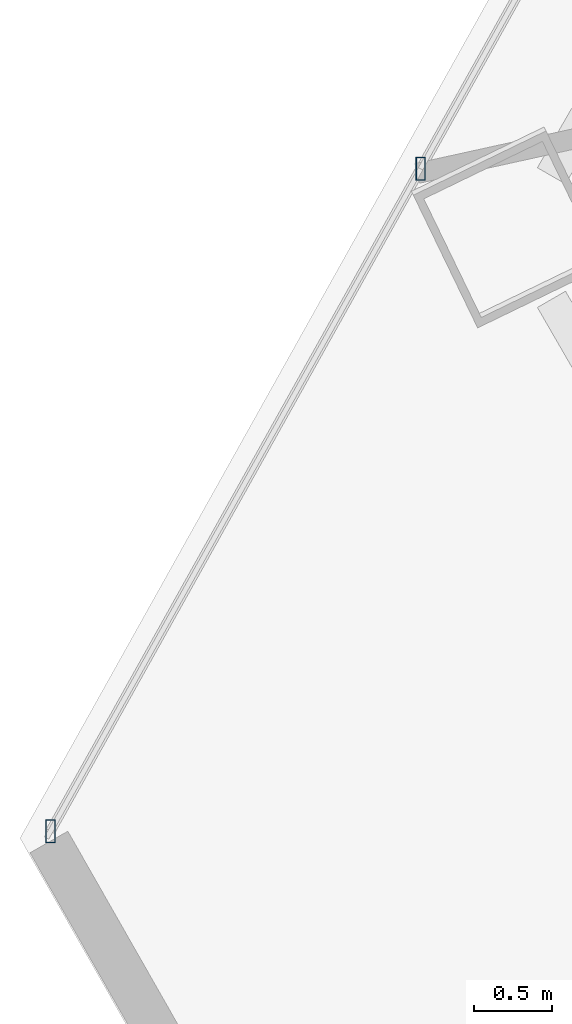
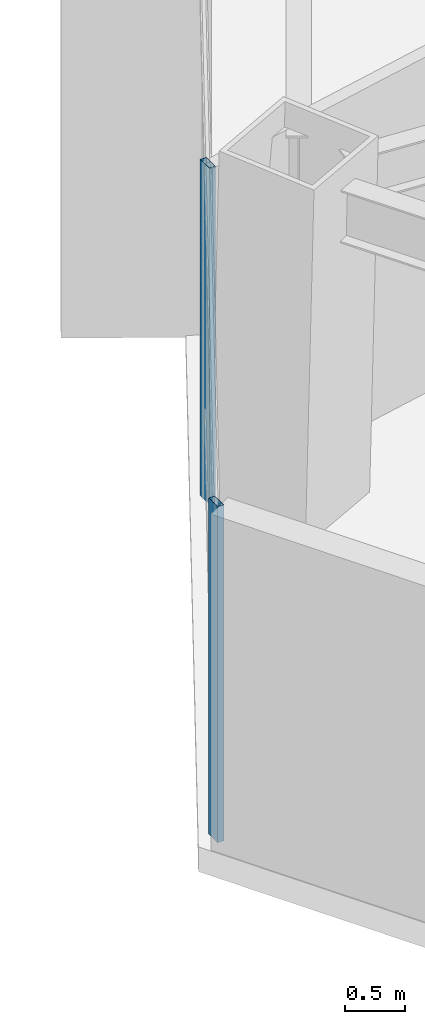
# One storey, part 6 of 39: 2 members, 1 element without a shape of its own.
"""IFC4 building model written with IfcOpenShell, lengths in metres."""

from ifc_helpers import new_model, si_unit, direction, frame, origin, origin_2d, place, context, subcontext, project, spatial, hollow_rectangle, extrude, source, transform, mapped, material, material_profile, profile_set, type_object, type_shapes, element, aggregate, save


model = new_model("IFC4")

# Units and contexts
model_context = context("Model", 3, precision=1e-05, world=origin(), true_north=direction((0.0, 1.0)))
body_context = subcontext(model_context, "Body", "Model", "MODEL_VIEW")
ifc_project = project(units=[si_unit("LENGTHUNIT", "METRE"), si_unit("AREAUNIT", "SQUARE_METRE"), si_unit("VOLUMEUNIT", "CUBIC_METRE"), si_unit("PLANEANGLEUNIT", "RADIAN"), si_unit("MASSUNIT", "GRAM", prefix="KILO")], contexts=[model_context])

# Site, building, storey
site_placement = place(None, origin())
site = spatial("IfcSite", under=ifc_project, at=site_placement, CompositionType="ELEMENT")
building_placement = place(site_placement, origin())
building = spatial("IfcBuilding", under=site, at=building_placement, Name="Caelisora Broadcast Tower", CompositionType="ELEMENT")
storey_placement = place(building_placement, frame((0.0, 0.0, 139.10009765625)))
storey = spatial("IfcBuildingStorey", under=building, at=storey_placement, Name="L36", CompositionType="ELEMENT", Elevation=139.10009765625)

# Curtain wall, members
ifc_material_1 = material(Name="Unitised Aluminium and Low-E Glass Curtain Wall", Category="glass")
curtain_wall_type = type_object("IfcCurtainWallType", Name="CW-Z3", PredefinedType="NOTDEFINED", material=ifc_material_1)
curtain_wall_placement = place(storey_placement, origin())
curtain_wall = element("IfcCurtainWall", 1, at=curtain_wall_placement, inside=storey, type_object=curtain_wall_type, Name="L36 curtain wall CW-Z3", PredefinedType="NOTDEFINED")
ifc_material_2 = material(Name="Aluminium 6063-T6 Anodised Terracotta Bronze", Category="aluminium")
ifc_material_profile = material_profile(ifc_material_2, hollow_rectangle(XDim=0.06005859375, YDim=0.14990234375, WallThickness=0.00341796875, at=origin_2d()), Name="Aluminium 6063-T6 Anodised Terracotta Bronze")
ifc_profile_set = profile_set([ifc_material_profile], Name="Aluminium 6063-T6 Anodised Terracotta Bronze")
member_type = type_object("IfcMemberType", Name="CWM-03", PredefinedType="MULLION", material=ifc_profile_set)
shared_shape = source(origin(), body_context, "Body", "SweptSolid", [
    extrude(hollow_rectangle(XDim=0.06005859375, YDim=0.14990234375, WallThickness=0.00341796875, at=origin_2d()), origin(), (0.0, 0.0, 1.0), 3.39990234375),
])
type_shapes(member_type, [shared_shape])
member_1_placement = place(storey_placement, frame((12.25537109375, 14.61669921875, 0.0), z_axis=(0.0, 0.0, 1.0), x_axis=(1.0, 0.0, 0.0)))
member_1 = element("IfcMember", 2, at=member_1_placement, type_object=member_type, Name="L36-CW-B09 mullion #0", PredefinedType="MULLION", context=body_context, shape_type="MappedRepresentation", body=[
    mapped(shared_shape, transform((0.0, 0.0, 0.0), scale=1.0)),
])
member_2_placement = place(storey_placement, frame((14.642578125, 18.888427734375, 0.0), z_axis=(0.0, 0.0, 1.0), x_axis=(1.0, 0.0, 0.0)))
member_2 = element("IfcMember", 3, at=member_2_placement, type_object=member_type, Name="L36-CW-B09 mullion #1", PredefinedType="MULLION", context=body_context, shape_type="MappedRepresentation", body=[
    mapped(shared_shape, transform((0.0, 0.0, 0.0), scale=1.0)),
])
aggregate(curtain_wall, [member_1, member_2])

save(model, "model.ifc")
